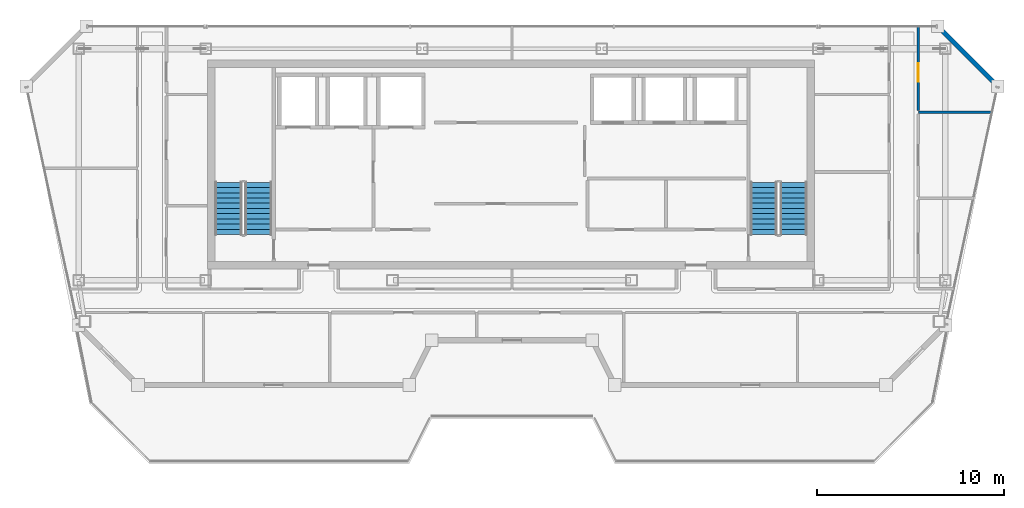
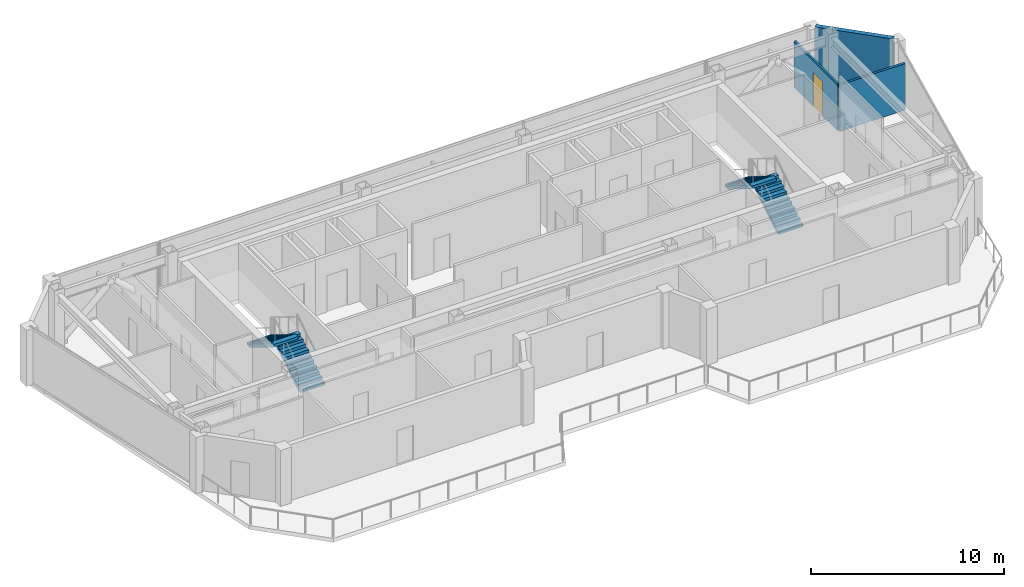
# One storey, part 14 of 17: 4 stair flights, 3 walls, 1 door, 1 opening, 2 elements without a shape of their own.
"""IFC4 building model written with IfcOpenShell, lengths in metres."""

from ifc_helpers import new_model, si_unit, direction, frame, frame_2d, origin, place, context, subcontext, project, spatial, polyline, rectangle, outline, extrude, material, layer, layer_set, type_object, element, fill, aggregate, save


model = new_model("IFC4")

# Units and contexts
model_context = context("Model", 3, precision=1e-05, world=origin(), true_north=direction((0.0, 1.0)))
body_context = subcontext(model_context, "Body", "Model", "MODEL_VIEW")
ifc_project = project(units=[si_unit("LENGTHUNIT", "METRE"), si_unit("AREAUNIT", "SQUARE_METRE"), si_unit("VOLUMEUNIT", "CUBIC_METRE"), si_unit("PLANEANGLEUNIT", "RADIAN"), si_unit("MASSUNIT", "GRAM", prefix="KILO")], contexts=[model_context])

# Site, building, storey
site_placement = place(None, origin())
site = spatial("IfcSite", under=ifc_project, at=site_placement, CompositionType="ELEMENT")
building_placement = place(site_placement, origin())
building = spatial("IfcBuilding", under=site, at=building_placement, Name="Saevonmaru Cultural Tower", CompositionType="ELEMENT")
storey_placement = place(building_placement, frame((0.0, 0.0, 310.39990234375)))
storey = spatial("IfcBuildingStorey", under=building, at=storey_placement, Name="L74", CompositionType="ELEMENT", Elevation=310.39990234375)

# Wall
ifc_material_1 = material(Name="Granite-Clad Precast Concrete C40/50", Category="masonry")
ifc_layer_1 = layer(ifc_material_1, 0.260009765625, Name="Granite-Clad Precast Concrete C40/50")
ifc_layer_set_1 = layer_set([ifc_layer_1], Name="Granite-Clad Precast Concrete C40/50")
wall_type_1 = type_object("IfcWallType", Name="WL-EXT-SPANDREL-260", PredefinedType="STANDARD", material=ifc_layer_set_1)
wall_1_placement = place(storey_placement, frame((55.886962890625, 52.9130859375, 0.0), z_axis=(0.0, 0.0, 1.0), x_axis=(-0.707106781187, 0.707106781187, 0.0)))
element("IfcWall", 1, at=wall_1_placement, inside=storey, type_object=wall_type_1, Name="L74 Chamfer Corner Spandrel Wall E9", PredefinedType="STANDARD", context=body_context, shape_type="SweptSolid", body=[
    extrude(rectangle(XDim=4.205810546875, YDim=0.260009765625, at=frame_2d((2.10302734375, 0.0))), origin(), (0.0, 0.0, 1.0), 3.550048828125),
])

# Wall, opening, door
ifc_material_2 = material(Name="Gypsum Fireboard Partition", Category="gypsum")
ifc_layer_2 = layer(ifc_material_2, 0.1201171875, Name="Gypsum Fireboard Partition")
ifc_layer_set_2 = layer_set([ifc_layer_2], Name="Gypsum Fireboard Partition")
wall_type_2 = type_object("IfcWallType", Name="WL-PART-GYP-120", PredefinedType="PARTITIONING", material=ifc_layer_set_2)
wall_2_placement = place(storey_placement, frame((51.75, 51.487548828125, 0.0), z_axis=(0.0, 0.0, 1.0), x_axis=(0.0, 1.0, 0.0)))
wall_2 = element("IfcWall", 2, at=wall_2_placement, inside=storey, type_object=wall_type_2, Name="L74 Panoramic Salon Restaurant Corridor Wall", PredefinedType="PARTITIONING", context=body_context, shape_type="SweptSolid", body=[
    extrude(rectangle(XDim=4.507568359375, YDim=0.1201171875, at=frame_2d((2.25390625, 0.0))), origin(), (0.0, 0.0, 1.0), 2.93505859375),
])
opening_placement = place(wall_2_placement, frame((1.533935546875, 0.0, 0.0)))
opening = element("IfcOpeningElement", 3, at=opening_placement, cuts=wall_2, Name="Opening ID-1B", PredefinedType="OPENING", context=body_context, shape_type="SweptSolid", body=[
    extrude(rectangle(XDim=1.0, YDim=2.14990234375, at=frame_2d((0.5, 1.074951171875))), frame((0.0, 0.070068359375, 0.0), z_axis=(0.0, -1.0, 0.0), x_axis=(1.0, 0.0, 0.0)), (0.0, 0.0, 1.0), 0.14013671875),
])
ifc_material_3 = material(Name="Acoustic Stained Oak Timber", Category="wood")
door_type = type_object("IfcDoorType", Name="DR-INT-1000", OperationType="SINGLE_SWING_RIGHT", PredefinedType="DOOR", material=ifc_material_3)
door_placement = place(opening_placement, origin())
door = element("IfcDoor", 4, at=door_placement, inside=storey, type_object=door_type, Name="L74 Panoramic Salon Restaurant Door", OperationType="SINGLE_SWING_RIGHT", OverallHeight=2.14990234375, OverallWidth=1.0, PredefinedType="DOOR", context=body_context, shape_type="SweptSolid", body=[
    extrude(rectangle(XDim=1.0, YDim=2.14990234375, at=frame_2d((0.5, 1.074951171875))), frame((0.0, 0.02490234375, 0.0), z_axis=(0.0, -1.0, 0.0), x_axis=(1.0, 0.0, 0.0)), (0.0, 0.0, 1.0), 0.050048828125),
])
fill(opening, door)

# Wall
ifc_layer_3 = layer(ifc_material_2, 0.135009765625, Name="Gypsum Fireboard Partition")
ifc_layer_set_3 = layer_set([ifc_layer_3], Name="Gypsum Fireboard Partition")
wall_type_3 = type_object("IfcWallType", Name="WL-PART-GYP-135", PredefinedType="PARTITIONING", material=ifc_layer_set_3)
wall_3_placement = place(storey_placement, frame((51.75, 51.39990234375, 0.0), z_axis=(0.0, 0.0, 1.0), x_axis=(1.0, 0.0, 0.0)))
element("IfcWall", 5, at=wall_3_placement, inside=storey, type_object=wall_type_3, Name="L74 NE Studio Divider 2", PredefinedType="PARTITIONING", context=body_context, shape_type="SweptSolid", body=[
    extrude(rectangle(XDim=3.941650390625, YDim=0.135009765625, at=frame_2d((1.970703125, 0.0))), origin(), (0.0, 0.0, 1.0), 2.947021484375),
])

# Stair, stair flights
ifc_material_4 = material(Name="Concrete C40/50", Category="concrete")
stair_type = type_object("IfcStairType", Name="STR-DOGLEG-RC", PredefinedType="HALF_TURN_STAIR", material=ifc_material_4)
stair_1_placement = place(storey_placement, origin())
stair_1 = element("IfcStair", 6, at=stair_1_placement, inside=storey, type_object=stair_type, Name="L74 Protected exit stair ST-1", PredefinedType="HALF_TURN_STAIR")
ifc_material_5 = material(Name="Precast concrete C40/50", Category="concrete")
stair_flight_type = type_object("IfcStairFlightType", Name="STF-PRECAST-180", PredefinedType="STRAIGHT", material=ifc_material_5)
stair_flight_1_placement = place(storey_placement, frame((16.425048828125, 44.85009765625, 0.0), z_axis=(0.0, 0.0, 1.0), x_axis=(0.0, 1.0, 0.0)))
stair_flight_1 = element("IfcStairFlight", 7, at=stair_flight_1_placement, type_object=stair_flight_type, Name="ST-1-L74 flight 1", NumberOfRisers=11, NumberOfTreads=10, PredefinedType="STRAIGHT", RiserHeight=0.172727273, TreadLength=0.28, context=body_context, shape_type="SweptSolid", body=[
    extrude(outline(polyline([(0.0, 0.0), (0.0, 0.172607421875), (0.280029296875, 0.172607421875), (0.280029296875, 0.345458984375), (0.56005859375, 0.345458984375), (0.56005859375, 0.51806640625), (0.840087890625, 0.51806640625), (0.840087890625, 0.69091796875), (1.1201171875, 0.69091796875), (1.1201171875, 0.863525390625), (1.39990234375, 0.863525390625), (1.39990234375, 1.036376953125), (1.679931640625, 1.036376953125), (1.679931640625, 1.208984375), (1.9599609375, 1.208984375), (1.9599609375, 1.3818359375), (2.239990234375, 1.3818359375), (2.239990234375, 1.554443359375), (2.52001953125, 1.554443359375), (2.52001953125, 1.727294921875), (2.800048828125, 1.727294921875), (2.800048828125, 1.89990234375), (2.800048828125, 1.551025390625), (0.285400390625, 0.0), (0.0, 0.0)])), frame((0.0, 0.72509765625, 0.0), z_axis=(0.0, -1.0, 0.0), x_axis=(1.0, 0.0, 0.0)), (0.0, 0.0, 1.0), 1.449951171875),
])
stair_flight_2_placement = place(storey_placement, frame((14.824951171875, 47.64990234375, 1.900146484375), z_axis=(0.0, 0.0, 1.0), x_axis=(0.0, -1.0, 0.0)))
stair_flight_2 = element("IfcStairFlight", 8, at=stair_flight_2_placement, type_object=stair_flight_type, Name="ST-1-L74 flight 2", NumberOfRisers=11, NumberOfTreads=10, PredefinedType="STRAIGHT", RiserHeight=0.172727273, TreadLength=0.28, context=body_context, shape_type="SweptSolid", body=[
    extrude(outline(polyline([(0.0, 0.0), (0.0, 0.172607421875), (0.280029296875, 0.172607421875), (0.280029296875, 0.345458984375), (0.56005859375, 0.345458984375), (0.56005859375, 0.51806640625), (0.840087890625, 0.51806640625), (0.840087890625, 0.69091796875), (1.1201171875, 0.69091796875), (1.1201171875, 0.863525390625), (1.39990234375, 0.863525390625), (1.39990234375, 1.036376953125), (1.679931640625, 1.036376953125), (1.679931640625, 1.208984375), (1.9599609375, 1.208984375), (1.9599609375, 1.3818359375), (2.239990234375, 1.3818359375), (2.239990234375, 1.554443359375), (2.52001953125, 1.554443359375), (2.52001953125, 1.727294921875), (2.800048828125, 1.727294921875), (2.800048828125, 1.89990234375), (2.800048828125, 1.551025390625), (0.285400390625, 0.0), (0.0, 0.0)])), frame((0.0, 0.72509765625, 0.0), z_axis=(0.0, -1.0, 0.0), x_axis=(1.0, 0.0, 0.0)), (0.0, 0.0, 1.0), 1.449951171875),
])
aggregate(stair_1, [stair_flight_1, stair_flight_2])

stair_2_placement = place(storey_placement, origin())
stair_2 = element("IfcStair", 9, at=stair_2_placement, inside=storey, type_object=stair_type, Name="L74 Protected exit stair ST-2", PredefinedType="HALF_TURN_STAIR")
stair_flight_3_placement = place(storey_placement, frame((45.074951171875, 44.85009765625, 0.0), z_axis=(0.0, 0.0, 1.0), x_axis=(0.0, 1.0, 0.0)))
stair_flight_3 = element("IfcStairFlight", 10, at=stair_flight_3_placement, type_object=stair_flight_type, Name="ST-2-L74 flight 1", NumberOfRisers=11, NumberOfTreads=10, PredefinedType="STRAIGHT", RiserHeight=0.172727273, TreadLength=0.28, context=body_context, shape_type="SweptSolid", body=[
    extrude(outline(polyline([(0.0, 0.0), (0.0, 0.172607421875), (0.280029296875, 0.172607421875), (0.280029296875, 0.345458984375), (0.56005859375, 0.345458984375), (0.56005859375, 0.51806640625), (0.840087890625, 0.51806640625), (0.840087890625, 0.69091796875), (1.1201171875, 0.69091796875), (1.1201171875, 0.863525390625), (1.39990234375, 0.863525390625), (1.39990234375, 1.036376953125), (1.679931640625, 1.036376953125), (1.679931640625, 1.208984375), (1.9599609375, 1.208984375), (1.9599609375, 1.3818359375), (2.239990234375, 1.3818359375), (2.239990234375, 1.554443359375), (2.52001953125, 1.554443359375), (2.52001953125, 1.727294921875), (2.800048828125, 1.727294921875), (2.800048828125, 1.89990234375), (2.800048828125, 1.551025390625), (0.285400390625, 0.0), (0.0, 0.0)])), frame((0.0, 0.72509765625, 0.0), z_axis=(0.0, -1.0, 0.0), x_axis=(1.0, 0.0, 0.0)), (0.0, 0.0, 1.0), 1.449951171875),
])
stair_flight_4_placement = place(storey_placement, frame((43.47509765625, 47.64990234375, 1.900146484375), z_axis=(0.0, 0.0, 1.0), x_axis=(0.0, -1.0, 0.0)))
stair_flight_4 = element("IfcStairFlight", 11, at=stair_flight_4_placement, type_object=stair_flight_type, Name="ST-2-L74 flight 2", NumberOfRisers=11, NumberOfTreads=10, PredefinedType="STRAIGHT", RiserHeight=0.172727273, TreadLength=0.28, context=body_context, shape_type="SweptSolid", body=[
    extrude(outline(polyline([(0.0, 0.0), (0.0, 0.172607421875), (0.280029296875, 0.172607421875), (0.280029296875, 0.345458984375), (0.56005859375, 0.345458984375), (0.56005859375, 0.51806640625), (0.840087890625, 0.51806640625), (0.840087890625, 0.69091796875), (1.1201171875, 0.69091796875), (1.1201171875, 0.863525390625), (1.39990234375, 0.863525390625), (1.39990234375, 1.036376953125), (1.679931640625, 1.036376953125), (1.679931640625, 1.208984375), (1.9599609375, 1.208984375), (1.9599609375, 1.3818359375), (2.239990234375, 1.3818359375), (2.239990234375, 1.554443359375), (2.52001953125, 1.554443359375), (2.52001953125, 1.727294921875), (2.800048828125, 1.727294921875), (2.800048828125, 1.89990234375), (2.800048828125, 1.551025390625), (0.285400390625, 0.0), (0.0, 0.0)])), frame((0.0, 0.72509765625, 0.0), z_axis=(0.0, -1.0, 0.0), x_axis=(1.0, 0.0, 0.0)), (0.0, 0.0, 1.0), 1.449951171875),
])
aggregate(stair_2, [stair_flight_3, stair_flight_4])

save(model, "model.ifc")
